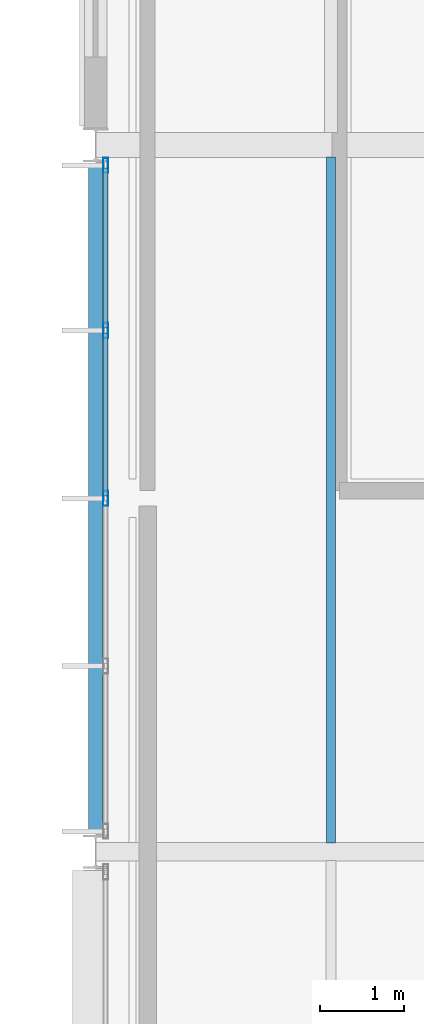
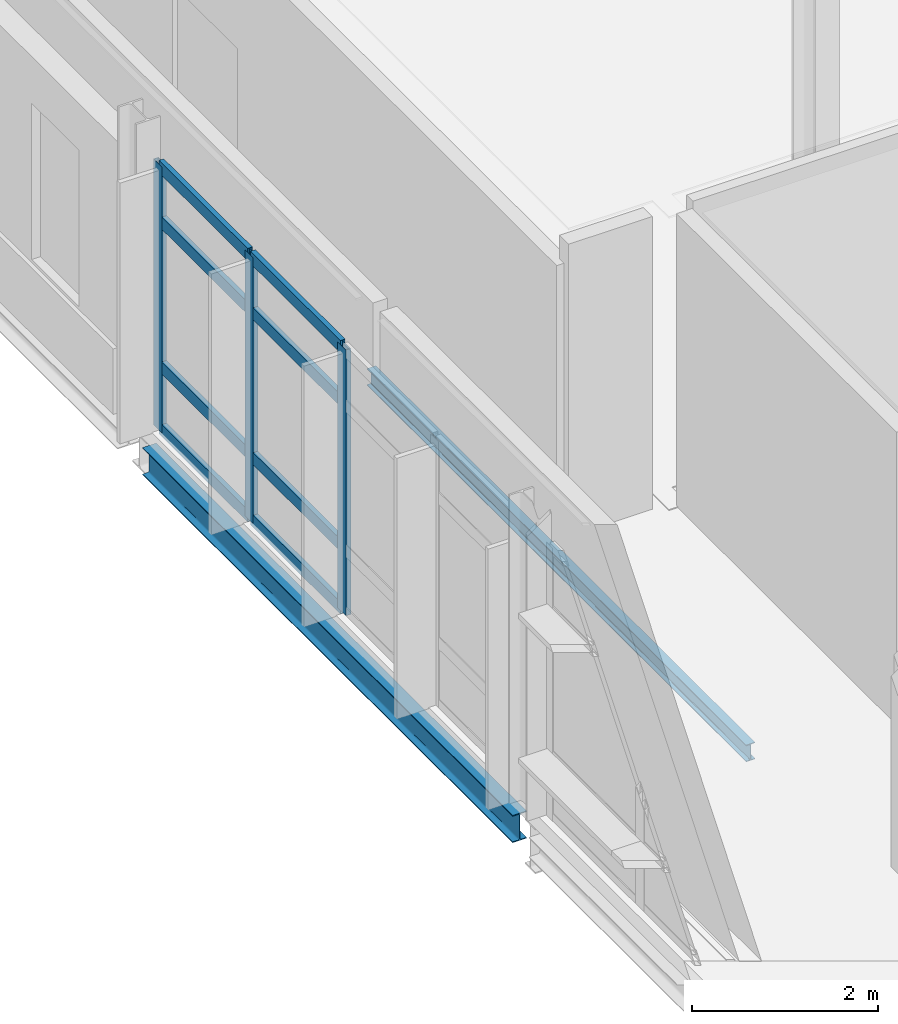
# One storey, part 68 of 151: 11 members, 2 beams, 1 element without a shape of its own.
"""IFC4 building model written with IfcOpenShell, lengths in metres."""

from ifc_helpers import new_model, si_unit, direction, frame, origin, origin_2d, place, context, subcontext, project, spatial, hollow_rectangle, i_section, extrude, material, material_profile, profile_set, type_object, element, aggregate, save


model = new_model("IFC4")

# Units and contexts
model_context = context("Model", 3, precision=1e-05, world=origin(), true_north=direction((0.0, 1.0)))
body_context = subcontext(model_context, "Body", "Model", "MODEL_VIEW")
ifc_project = project(units=[si_unit("LENGTHUNIT", "METRE"), si_unit("AREAUNIT", "SQUARE_METRE"), si_unit("VOLUMEUNIT", "CUBIC_METRE"), si_unit("PLANEANGLEUNIT", "RADIAN"), si_unit("MASSUNIT", "GRAM", prefix="KILO")], contexts=[model_context])

# Site, building, storey
site_placement = place(None, origin())
site = spatial("IfcSite", under=ifc_project, at=site_placement, CompositionType="ELEMENT")
building_placement = place(site_placement, origin())
building = spatial("IfcBuilding", under=site, at=building_placement, Name="Mersafa Astral City Hall", CompositionType="ELEMENT")
storey_placement = place(building_placement, frame((0.0, 0.0, 9.89990234375)))
storey = spatial("IfcBuildingStorey", under=building, at=storey_placement, Name="L02", CompositionType="ELEMENT", Elevation=9.89990234375)

# Curtain wall, members
ifc_material_1 = material(Name="Anodised bronze aluminium framing", Category="aluminium")
curtain_wall_type = type_object("IfcCurtainWallType", Name="ENV-CW-5", PredefinedType="USERDEFINED", material=ifc_material_1)
curtain_wall_placement = place(storey_placement, origin())
curtain_wall = element("IfcCurtainWall", 1, at=curtain_wall_placement, inside=storey, type_object=curtain_wall_type, Name="L02 Unitised solar curtain wall 142", ObjectType="UNITISED CURTAIN WALL", PredefinedType="USERDEFINED")
ifc_material_profile_1 = material_profile(ifc_material_1, hollow_rectangle(XDim=0.06005859375, YDim=0.179931640625, WallThickness=0.00390625, at=origin_2d()), Name="RHS 60x180x4")
ifc_profile_set_1 = profile_set([ifc_material_profile_1], Name="Anodised bronze aluminium framing")
member_type_1 = type_object("IfcMemberType", Name="ENV-CW-MUL-1", PredefinedType="MULLION", material=ifc_profile_set_1)
member_1_placement = place(storey_placement, frame((100.919921875, 108.9580078125, -0.001953125), z_axis=(0.0, 0.0, 1.0), x_axis=(1.0, 0.0, 0.0)))
member_1 = element("IfcMember", 2, at=member_1_placement, type_object=member_type_1, Name="CW-5 mullion 1", PredefinedType="MULLION", context=body_context, shape_type="SweptSolid", body=[
    extrude(hollow_rectangle(XDim=0.06005859375, YDim=0.179931640625, WallThickness=0.00390625, at=origin_2d()), origin(), (0.0, 0.0, 1.0), 3.489013671875),
])
member_2_placement = place(storey_placement, frame((100.919921875, 106.993896484375, -0.001953125), z_axis=(0.0, 0.0, 1.0), x_axis=(1.0, 0.0, 0.0)))
member_2 = element("IfcMember", 3, at=member_2_placement, type_object=member_type_1, Name="CW-5 mullion 2", PredefinedType="MULLION", context=body_context, shape_type="SweptSolid", body=[
    extrude(hollow_rectangle(XDim=0.06005859375, YDim=0.179931640625, WallThickness=0.00390625, at=origin_2d()), origin(), (0.0, 0.0, 1.0), 3.489013671875),
])
member_3_placement = place(storey_placement, frame((100.919921875, 105.0, -0.001953125), z_axis=(0.0, 0.0, 1.0), x_axis=(1.0, 0.0, 0.0)))
member_3 = element("IfcMember", 4, at=member_3_placement, type_object=member_type_1, Name="CW-5 mullion 3", PredefinedType="MULLION", context=body_context, shape_type="SweptSolid", body=[
    extrude(hollow_rectangle(XDim=0.06005859375, YDim=0.179931640625, WallThickness=0.00390625, at=origin_2d()), origin(), (0.0, 0.0, 1.0), 3.489013671875),
])
ifc_material_profile_2 = material_profile(ifc_material_1, hollow_rectangle(XDim=0.06005859375, YDim=0.159912109375, WallThickness=0.00390625, at=origin_2d()), Name="RHS 60x160x4")
ifc_profile_set_2 = profile_set([ifc_material_profile_2], Name="Anodised bronze aluminium framing")
member_type_2 = type_object("IfcMemberType", Name="ENV-CW-TRN-2", PredefinedType="USERDEFINED", material=ifc_profile_set_2)
member_4_placement = place(storey_placement, frame((100.919921875, 108.927978515625, 0.028076171875), z_axis=(0.0, -1.0, 0.0), x_axis=(1.0, 0.0, 0.0)))
member_4 = element("IfcMember", 5, at=member_4_placement, type_object=member_type_2, Name="CW-5 transom 1.1", ObjectType="TRANSOM", PredefinedType="USERDEFINED", context=body_context, shape_type="SweptSolid", body=[
    extrude(hollow_rectangle(XDim=0.06005859375, YDim=0.159912109375, WallThickness=0.00390625, at=origin_2d()), origin(), (0.0, 0.0, 1.0), 1.904052734375),
])
member_5_placement = place(storey_placement, frame((100.919921875, 108.927978515625, 0.85009765625), z_axis=(0.0, -1.0, 0.0), x_axis=(1.0, 0.0, 0.0)))
member_5 = element("IfcMember", 6, at=member_5_placement, type_object=member_type_2, Name="CW-5 transom 1.2", ObjectType="TRANSOM", PredefinedType="USERDEFINED", context=body_context, shape_type="SweptSolid", body=[
    extrude(hollow_rectangle(XDim=0.06005859375, YDim=0.159912109375, WallThickness=0.00390625, at=origin_2d()), origin(), (0.0, 0.0, 1.0), 1.904052734375),
])
member_6_placement = place(storey_placement, frame((100.919921875, 108.927978515625, 2.75), z_axis=(0.0, -1.0, 0.0), x_axis=(1.0, 0.0, 0.0)))
member_6 = element("IfcMember", 7, at=member_6_placement, type_object=member_type_2, Name="CW-5 transom 1.3", ObjectType="TRANSOM", PredefinedType="USERDEFINED", context=body_context, shape_type="SweptSolid", body=[
    extrude(hollow_rectangle(XDim=0.06005859375, YDim=0.159912109375, WallThickness=0.00390625, at=origin_2d()), origin(), (0.0, 0.0, 1.0), 1.904052734375),
])
member_7_placement = place(storey_placement, frame((100.919921875, 108.927978515625, 3.45703125), z_axis=(0.0, -1.0, 0.0), x_axis=(1.0, 0.0, 0.0)))
member_7 = element("IfcMember", 8, at=member_7_placement, type_object=member_type_2, Name="CW-5 transom 1.4", ObjectType="TRANSOM", PredefinedType="USERDEFINED", context=body_context, shape_type="SweptSolid", body=[
    extrude(hollow_rectangle(XDim=0.06005859375, YDim=0.159912109375, WallThickness=0.00390625, at=origin_2d()), origin(), (0.0, 0.0, 1.0), 1.904052734375),
])
member_8_placement = place(storey_placement, frame((100.919921875, 106.964111328125, 0.028076171875), z_axis=(0.0, -1.0, 0.0), x_axis=(1.0, 0.0, 0.0)))
member_8 = element("IfcMember", 9, at=member_8_placement, type_object=member_type_2, Name="CW-5 transom 2.1", ObjectType="TRANSOM", PredefinedType="USERDEFINED", context=body_context, shape_type="SweptSolid", body=[
    extrude(hollow_rectangle(XDim=0.06005859375, YDim=0.159912109375, WallThickness=0.00390625, at=origin_2d()), origin(), (0.0, 0.0, 1.0), 1.93408203125),
])
member_9_placement = place(storey_placement, frame((100.919921875, 106.964111328125, 0.85009765625), z_axis=(0.0, -1.0, 0.0), x_axis=(1.0, 0.0, 0.0)))
member_9 = element("IfcMember", 10, at=member_9_placement, type_object=member_type_2, Name="CW-5 transom 2.2", ObjectType="TRANSOM", PredefinedType="USERDEFINED", context=body_context, shape_type="SweptSolid", body=[
    extrude(hollow_rectangle(XDim=0.06005859375, YDim=0.159912109375, WallThickness=0.00390625, at=origin_2d()), origin(), (0.0, 0.0, 1.0), 1.93408203125),
])
member_10_placement = place(storey_placement, frame((100.919921875, 106.964111328125, 2.75), z_axis=(0.0, -1.0, 0.0), x_axis=(1.0, 0.0, 0.0)))
member_10 = element("IfcMember", 11, at=member_10_placement, type_object=member_type_2, Name="CW-5 transom 2.3", ObjectType="TRANSOM", PredefinedType="USERDEFINED", context=body_context, shape_type="SweptSolid", body=[
    extrude(hollow_rectangle(XDim=0.06005859375, YDim=0.159912109375, WallThickness=0.00390625, at=origin_2d()), origin(), (0.0, 0.0, 1.0), 1.93408203125),
])
member_11_placement = place(storey_placement, frame((100.919921875, 106.964111328125, 3.45703125), z_axis=(0.0, -1.0, 0.0), x_axis=(1.0, 0.0, 0.0)))
member_11 = element("IfcMember", 12, at=member_11_placement, type_object=member_type_2, Name="CW-5 transom 2.4", ObjectType="TRANSOM", PredefinedType="USERDEFINED", context=body_context, shape_type="SweptSolid", body=[
    extrude(hollow_rectangle(XDim=0.06005859375, YDim=0.159912109375, WallThickness=0.00390625, at=origin_2d()), origin(), (0.0, 0.0, 1.0), 1.93408203125),
])
aggregate(curtain_wall, [member_1, member_2, member_3, member_4, member_5, member_6, member_7, member_8, member_9, member_10, member_11])

# Beams
ifc_material_2 = material(Name="Steel S355", Category="steel")
ifc_material_profile_3 = material_profile(ifc_material_2, i_section(OverallWidth=0.110107421875, OverallDepth=0.219970703125, WebThickness=0.005859375, FlangeThickness=0.00927734375, FilletRadius=0.011962890625, at=origin_2d()), Name="IPE 220")
ifc_profile_set_3 = profile_set([ifc_material_profile_3], Name="Steel S355")
beam_type_1 = type_object("IfcBeamType", Name="STR-BM-JOIST-IPE220", PredefinedType="JOIST", material=ifc_profile_set_3)
beam_1_placement = place(storey_placement, frame((103.60009765625, 100.905029296875, -0.309814453125), z_axis=(0.0, 1.0, 0.0), x_axis=(-1.0, 0.0, 0.0)))
element("IfcBeam", 13, at=beam_1_placement, inside=storey, type_object=beam_type_1, Name="L02 Composite secondary floor joist 464", PredefinedType="JOIST", context=body_context, shape_type="SweptSolid", body=[
    extrude(i_section(OverallWidth=0.110107421875, OverallDepth=0.219970703125, WebThickness=0.005859375, FlangeThickness=0.00927734375, FilletRadius=0.011962890625, at=origin_2d()), origin(), (0.0, 0.0, 1.0), 8.14990234375),
])
ifc_material_profile_4 = material_profile(ifc_material_2, i_section(OverallWidth=0.169921875, OverallDepth=0.360107421875, WebThickness=0.008056640625, FlangeThickness=0.0126953125, FilletRadius=0.01806640625, at=origin_2d()), Name="IPE 360")
ifc_profile_set_4 = profile_set([ifc_material_profile_4], Name="Steel S355")
beam_type_2 = type_object("IfcBeamType", Name="STR-BM-SPANDREL-IPE360", PredefinedType="SPANDREL", material=ifc_profile_set_4)
beam_2_placement = place(storey_placement, frame((100.800048828125, 101.02001953125, -0.3798828125), z_axis=(0.0, 1.0, 0.0), x_axis=(-1.0, 0.0, 0.0)))
element("IfcBeam", 14, at=beam_2_placement, inside=storey, type_object=beam_type_2, Name="L02 Primary girder Y 12-12", PredefinedType="SPANDREL", context=body_context, shape_type="SweptSolid", body=[
    extrude(i_section(OverallWidth=0.169921875, OverallDepth=0.360107421875, WebThickness=0.008056640625, FlangeThickness=0.0126953125, FilletRadius=0.01806640625, at=origin_2d()), origin(), (0.0, 0.0, 1.0), 7.9599609375),
])

save(model, "model.ifc")
